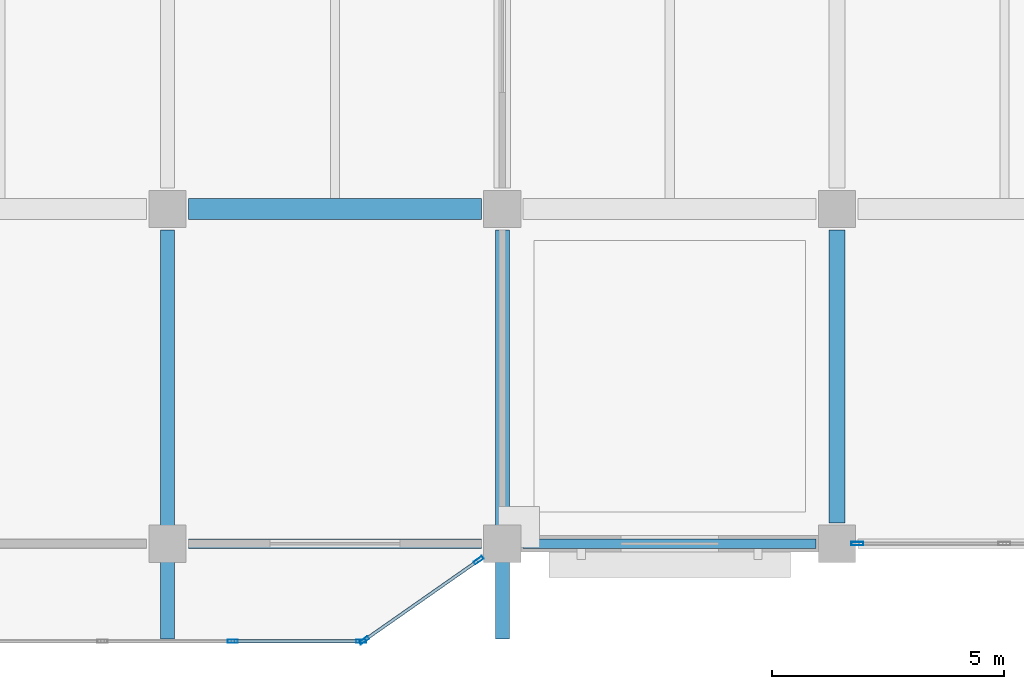
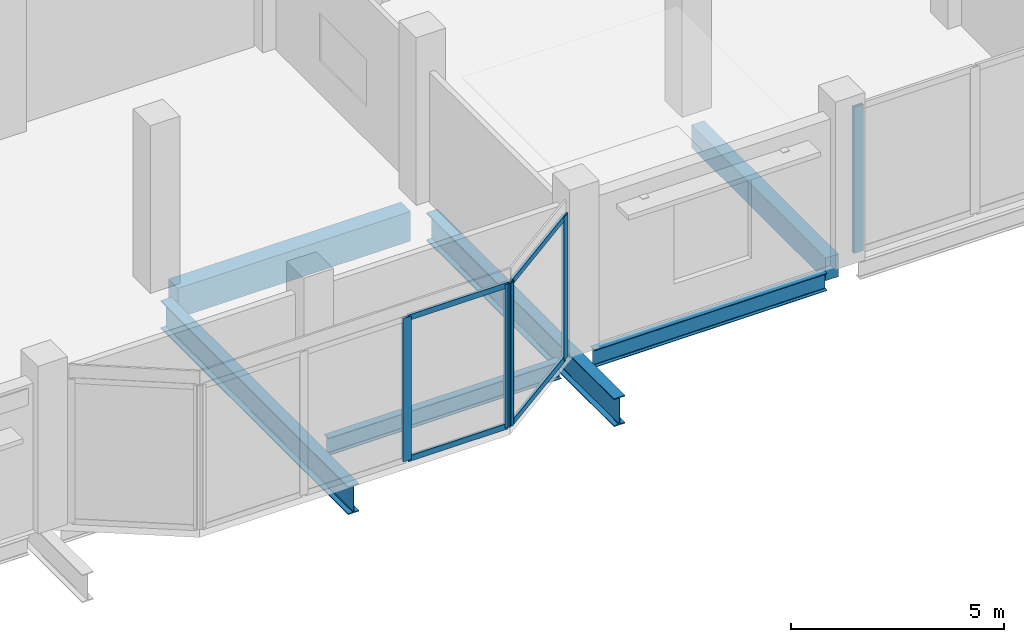
# One storey, part 43 of 99: 9 members, 6 beams, 3 elements without a shape of their own.
"""IFC4 building model written with IfcOpenShell, lengths in metres."""

from ifc_helpers import new_model, si_unit, direction, frame, origin, origin_2d, place, context, subcontext, project, spatial, rectangle, hollow_rectangle, i_section, extrude, material, material_profile, profile_set, type_object, element, aggregate, save


model = new_model("IFC4")

# Units and contexts
model_context = context("Model", 3, precision=1e-05, world=origin(), true_north=direction((0.0, 1.0)))
body_context = subcontext(model_context, "Body", "Model", "MODEL_VIEW")
ifc_project = project(units=[si_unit("LENGTHUNIT", "METRE"), si_unit("AREAUNIT", "SQUARE_METRE"), si_unit("VOLUMEUNIT", "CUBIC_METRE"), si_unit("PLANEANGLEUNIT", "RADIAN"), si_unit("MASSUNIT", "GRAM", prefix="KILO")], contexts=[model_context])

# Site, building, storey
site_placement = place(None, origin())
site = spatial("IfcSite", under=ifc_project, at=site_placement, CompositionType="ELEMENT")
building_placement = place(site_placement, origin())
building = spatial("IfcBuilding", under=site, at=building_placement, Name="Vesperath Aquatics Centre", CompositionType="ELEMENT")
storey_placement = place(building_placement, frame((0.0, 0.0, 5.39990234375)))
storey = spatial("IfcBuildingStorey", under=building, at=storey_placement, Name="L01", CompositionType="ELEMENT", Elevation=5.39990234375)

# Beams
ifc_material_1 = material(Name="Concrete C35", Category="concrete")
ifc_material_profile_1 = material_profile(ifc_material_1, rectangle(XDim=0.449951171875, YDim=0.85009765625, at=origin_2d()), Name="RC 450x850")
ifc_profile_set_1 = profile_set([ifc_material_profile_1], Name="Concrete C35")
beam_type_1 = type_object("IfcBeamType", Name="BM-G03", PredefinedType="BEAM", material=ifc_profile_set_1)
beam_1_placement = place(storey_placement, frame((144.449951171875, 7.199951171875, -0.684814453125), z_axis=(1.0, 0.0, 0.0), x_axis=(0.0, 1.0, 0.0)))
element("IfcBeam", 1, at=beam_1_placement, inside=storey, type_object=beam_type_1, Name="Floor Girder B03 L01 B 21-22", PredefinedType="BEAM", context=body_context, shape_type="SweptSolid", body=[
    extrude(rectangle(XDim=0.449951171875, YDim=0.85009765625, at=origin_2d()), origin(), (0.0, 0.0, 1.0), 6.300048828125),
])
ifc_material_profile_2 = material_profile(ifc_material_1, rectangle(XDim=0.35009765625, YDim=0.64990234375, at=origin_2d()), Name="RC 350x650")
ifc_profile_set_2 = profile_set([ifc_material_profile_2], Name="Concrete C35")
beam_type_2 = type_object("IfcBeamType", Name="BM-G05", PredefinedType="BEAM", material=ifc_profile_set_2)
beam_2_placement = place(storey_placement, frame((158.39990234375, 0.449951171875, -0.5849609375), z_axis=(0.0, 1.0, 0.0), x_axis=(-1.0, 0.0, 0.0)))
element("IfcBeam", 2, at=beam_2_placement, inside=storey, type_object=beam_type_2, Name="Floor Girder B05 L01 23 A-B", PredefinedType="BEAM", context=body_context, shape_type="SweptSolid", body=[
    extrude(rectangle(XDim=0.35009765625, YDim=0.64990234375, at=origin_2d()), origin(), (0.0, 0.0, 1.0), 6.300048828125),
])
ifc_material_2 = material(Name="Steel Q355D", Category="steel")
ifc_material_profile_3 = material_profile(ifc_material_2, i_section(OverallWidth=0.300048828125, OverallDepth=0.800048828125, WebThickness=0.013916015625, FlangeThickness=0.02587890625, FilletRadius=0.028076171875, at=origin_2d()), Name="HN 800x300x14x26")
ifc_profile_set_3 = profile_set([ifc_material_profile_3], Name="Steel Q355D")
beam_type_3 = type_object("IfcBeamType", Name="BM-G07", PredefinedType="BEAM", material=ifc_profile_set_3)
for number, where, z_axis, x_axis, name in (
    (3, (144.0, -2.050048828125, -0.659912109375), (0.0, 1.0, 0.0), (-1.0, 0.0, 0.0), "Floor Girder B07 L01 21 A-B"),
    (4, (151.199951171875, -2.050048828125, -0.659912109375), (0.0, 1.0, 0.0), (-1.0, 0.0, 0.0), "Floor Girder B07 L01 22 A-B"),
):
    element("IfcBeam", number, at=place(storey_placement, frame(where, z_axis=z_axis, x_axis=x_axis)), inside=storey, type_object=beam_type_3, Name=name, PredefinedType="BEAM", context=body_context, shape_type="SweptSolid", body=[
        extrude(i_section(OverallWidth=0.300048828125, OverallDepth=0.800048828125, WebThickness=0.013916015625, FlangeThickness=0.02587890625, FilletRadius=0.028076171875, at=origin_2d()), origin(), (0.0, 0.0, 1.0), 8.800048828125),
    ])
ifc_material_profile_4 = material_profile(ifc_material_2, i_section(OverallWidth=0.199951171875, OverallDepth=0.5, WebThickness=0.010009765625, FlangeThickness=0.01611328125, FilletRadius=0.02001953125, at=origin_2d()), Name="HN 500x200x10x16")
ifc_profile_set_4 = profile_set([ifc_material_profile_4], Name="Steel Q355D")
beam_type_4 = type_object("IfcBeamType", Name="BM-SP01", PredefinedType="SPANDREL", material=ifc_profile_set_4)
for number, where, z_axis, x_axis, name in (
    (5, (144.449951171875, 0.0, -0.510009765625), (1.0, 0.0, 0.0), (0.0, 1.0, 0.0), "Floor Girder SP01 L01 A 21-22"),
    (6, (151.64990234375, 0.0, -0.510009765625), (1.0, 0.0, 0.0), (0.0, 1.0, 0.0), "Floor Girder SP01 L01 A 22-23"),
):
    element("IfcBeam", number, at=place(storey_placement, frame(where, z_axis=z_axis, x_axis=x_axis)), inside=storey, type_object=beam_type_4, Name=name, PredefinedType="SPANDREL", context=body_context, shape_type="SweptSolid", body=[
        extrude(i_section(OverallWidth=0.199951171875, OverallDepth=0.5, WebThickness=0.010009765625, FlangeThickness=0.01611328125, FilletRadius=0.02001953125, at=origin_2d()), origin(), (0.0, 0.0, 1.0), 6.300048828125),
    ])

# Curtain wall, member
ifc_material_3 = material(Name="Thermally broken anodised bronze aluminium curtain wall", Category="aluminium")
curtain_wall_type = type_object("IfcCurtainWallType", Name="CW-02", PredefinedType="NOTDEFINED", material=ifc_material_3)
curtain_wall_1_placement = place(storey_placement, origin())
curtain_wall_1 = element("IfcCurtainWall", 7, at=curtain_wall_1_placement, inside=storey, type_object=curtain_wall_type, Name="Facade Curtain Wall CW02 L01_S_22_00", PredefinedType="NOTDEFINED")
ifc_material_4 = material(Name="Thermally broken anodised aluminium", Category="aluminium")
ifc_material_profile_5 = material_profile(ifc_material_4, hollow_rectangle(XDim=0.074951171875, YDim=0.260009765625, WallThickness=0.006103515625, at=origin_2d()), Name="CWM 75x260x6")
ifc_profile_set_5 = profile_set([ifc_material_profile_5], Name="Thermally broken anodised aluminium")
member_type_1 = type_object("IfcMemberType", Name="MB-CWM1", PredefinedType="MULLION", material=ifc_profile_set_5)
member_1_placement = place(storey_placement, frame((158.83740234375, 0.0, 0.0), z_axis=(0.0, 0.0, 1.0), x_axis=(0.0, 1.0, 0.0)))
member_1 = element("IfcMember", 8, at=member_1_placement, type_object=member_type_1, Name="CW02 mullion 1", PredefinedType="MULLION", context=body_context, shape_type="SweptSolid", body=[
    extrude(hollow_rectangle(XDim=0.074951171875, YDim=0.260009765625, WallThickness=0.006103515625, at=origin_2d()), origin(), (0.0, 0.0, 1.0), 4.190185546875),
])
aggregate(curtain_wall_1, [member_1])

# Curtain wall, members
curtain_wall_2_placement = place(storey_placement, origin())
curtain_wall_2 = element("IfcCurtainWall", 9, at=curtain_wall_2_placement, inside=storey, type_object=curtain_wall_type, Name="South Boulevard Bow Oriel Curtain Wall L01-C", PredefinedType="NOTDEFINED")
ifc_material_profile_6 = material_profile(ifc_material_4, hollow_rectangle(XDim=0.070068359375, YDim=0.219970703125, WallThickness=0.0048828125, at=origin_2d()), Name="CWM 70x220x5")
ifc_profile_set_6 = profile_set([ifc_material_profile_6], Name="Thermally broken anodised aluminium")
member_type_2 = type_object("IfcMemberType", Name="MB-CWM2", PredefinedType="MULLION", material=ifc_profile_set_6)
member_2_placement = place(storey_placement, frame((145.39990234375, -2.10009765625, 0.0), z_axis=(0.0, 0.0, 1.0), x_axis=(0.0, 1.0, 0.0)))
member_2 = element("IfcMember", 10, at=member_2_placement, type_object=member_type_2, Name="CW02 mullion 3", PredefinedType="MULLION", context=body_context, shape_type="SweptSolid", body=[
    extrude(hollow_rectangle(XDim=0.070068359375, YDim=0.219970703125, WallThickness=0.0048828125, at=origin_2d()), origin(), (0.0, 0.0, 1.0), 4.110107421875),
])
member_3_placement = place(storey_placement, frame((148.1650390625, -2.10009765625, 0.0), z_axis=(0.0, 0.0, 1.0), x_axis=(0.0, 1.0, 0.0)))
member_3 = element("IfcMember", 11, at=member_3_placement, type_object=member_type_2, Name="CW02 mullion 4", PredefinedType="MULLION", context=body_context, shape_type="SweptSolid", body=[
    extrude(hollow_rectangle(XDim=0.070068359375, YDim=0.219970703125, WallThickness=0.0048828125, at=origin_2d()), origin(), (0.0, 0.0, 1.0), 4.110107421875),
])

curtain_wall_3_placement = place(storey_placement, origin())
curtain_wall_3 = element("IfcCurtainWall", 12, at=curtain_wall_3_placement, inside=storey, type_object=curtain_wall_type, Name="South Boulevard Bow Oriel Curtain Wall L01-E", PredefinedType="NOTDEFINED")
member_4_placement = place(storey_placement, frame((148.228759765625, -2.079833984375, 0.0), z_axis=(0.0, 0.0, 1.0), x_axis=(-0.57346234437, 0.819231920515, 0.0)))
member_4 = element("IfcMember", 13, at=member_4_placement, type_object=member_type_2, Name="CW02 mullion 1", PredefinedType="MULLION", context=body_context, shape_type="SweptSolid", body=[
    extrude(hollow_rectangle(XDim=0.070068359375, YDim=0.219970703125, WallThickness=0.0048828125, at=origin_2d()), origin(), (0.0, 0.0, 1.0), 4.110107421875),
])
member_5_placement = place(storey_placement, frame((150.69140625, -0.35595703125, 0.0), z_axis=(0.0, 0.0, 1.0), x_axis=(-0.57346234437, 0.819231920515, 0.0)))
member_5 = element("IfcMember", 14, at=member_5_placement, type_object=member_type_2, Name="CW02 mullion 2", PredefinedType="MULLION", context=body_context, shape_type="SweptSolid", body=[
    extrude(hollow_rectangle(XDim=0.070068359375, YDim=0.219970703125, WallThickness=0.0048828125, at=origin_2d()), origin(), (0.0, 0.0, 1.0), 4.110107421875),
])

# Member
ifc_material_profile_7 = material_profile(ifc_material_4, hollow_rectangle(XDim=0.070068359375, YDim=0.159912109375, WallThickness=0.0048828125, at=origin_2d()), Name="CWT 70x160x5")
ifc_profile_set_7 = profile_set([ifc_material_profile_7], Name="Thermally broken anodised aluminium")
member_type_3 = type_object("IfcMemberType", Name="MB-CWT2", PredefinedType="USERDEFINED", material=ifc_profile_set_7)
member_6_placement = place(storey_placement, frame((145.43505859375, -2.10009765625, 0.03515625), z_axis=(1.0, 0.0, 0.0), x_axis=(0.0, 1.0, 0.0)))
member_6 = element("IfcMember", 15, at=member_6_placement, type_object=member_type_3, Name="CW02 transom 3.1", ObjectType="TRANSOM", PredefinedType="USERDEFINED", context=body_context, shape_type="SweptSolid", body=[
    extrude(hollow_rectangle(XDim=0.070068359375, YDim=0.159912109375, WallThickness=0.0048828125, at=origin_2d()), origin(), (0.0, 0.0, 1.0), 2.69482421875),
])

member_7_placement = place(storey_placement, frame((145.43505859375, -2.10009765625, 4.0751953125), z_axis=(1.0, 0.0, 0.0), x_axis=(0.0, 1.0, 0.0)))
member_7 = element("IfcMember", 16, at=member_7_placement, type_object=member_type_3, Name="CW02 transom 3.2", ObjectType="TRANSOM", PredefinedType="USERDEFINED", context=body_context, shape_type="SweptSolid", body=[
    extrude(hollow_rectangle(XDim=0.070068359375, YDim=0.159912109375, WallThickness=0.0048828125, at=origin_2d()), origin(), (0.0, 0.0, 1.0), 2.69482421875),
])

aggregate(curtain_wall_2, [member_2, member_3, member_6, member_7])

member_8_placement = place(storey_placement, frame((148.25732421875, -2.059814453125, 0.03515625), z_axis=(0.819247546743, 0.573440020538, 0.0), x_axis=(-0.573440020538, 0.819247546743, 0.0)))
member_8 = element("IfcMember", 17, at=member_8_placement, type_object=member_type_3, Name="CW02 transom 1.1", ObjectType="TRANSOM", PredefinedType="USERDEFINED", context=body_context, shape_type="SweptSolid", body=[
    extrude(hollow_rectangle(XDim=0.070068359375, YDim=0.159912109375, WallThickness=0.0048828125, at=origin_2d()), origin(), (0.0, 0.0, 1.0), 2.93603515625),
])

member_9_placement = place(storey_placement, frame((148.25732421875, -2.059814453125, 4.0751953125), z_axis=(0.819247546743, 0.573440020538, 0.0), x_axis=(-0.573440020538, 0.819247546743, 0.0)))
member_9 = element("IfcMember", 18, at=member_9_placement, type_object=member_type_3, Name="CW02 transom 1.2", ObjectType="TRANSOM", PredefinedType="USERDEFINED", context=body_context, shape_type="SweptSolid", body=[
    extrude(hollow_rectangle(XDim=0.070068359375, YDim=0.159912109375, WallThickness=0.0048828125, at=origin_2d()), origin(), (0.0, 0.0, 1.0), 2.93603515625),
])

aggregate(curtain_wall_3, [member_4, member_5, member_8, member_9])

save(model, "model.ifc")
